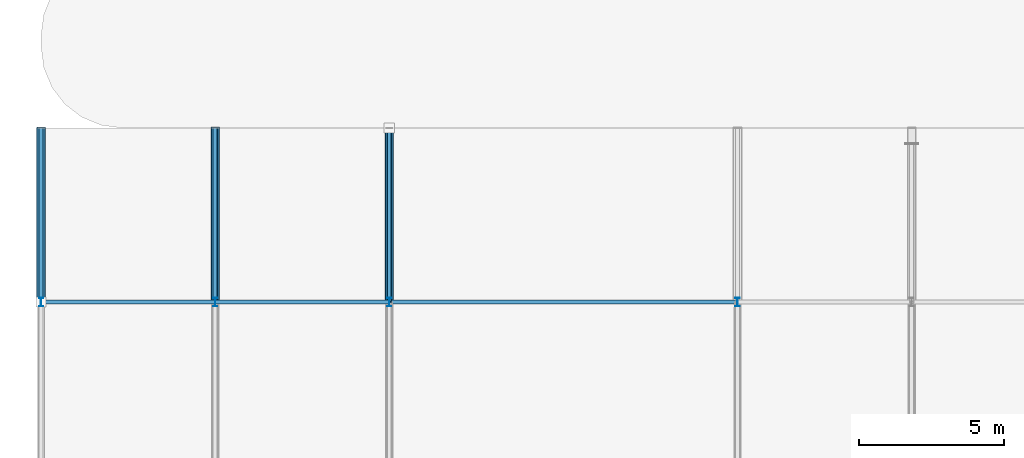
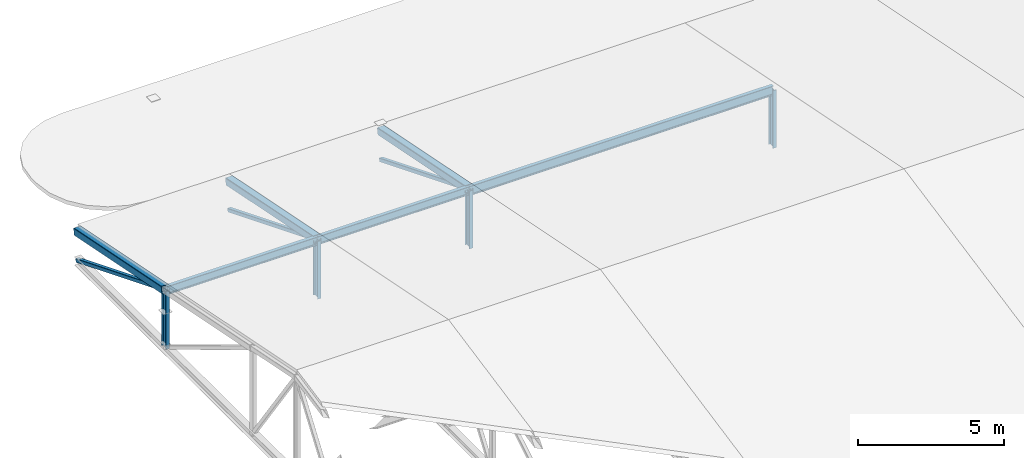
# One storey, part 39 of 83: 10 members, 3 beams.
"""IFC4 building model written with IfcOpenShell, lengths in metres."""

from ifc_helpers import new_model, si_unit, direction, frame, origin, origin_2d, place, context, subcontext, project, spatial, hollow_rectangle, i_section, extrude, material, material_profile, profile_set, type_object, element, save


model = new_model("IFC4")

# Units and contexts
model_context = context("Model", 3, precision=1e-05, world=origin(), true_north=direction((0.0, 1.0)))
body_context = subcontext(model_context, "Body", "Model", "MODEL_VIEW")
ifc_project = project(units=[si_unit("LENGTHUNIT", "METRE"), si_unit("AREAUNIT", "SQUARE_METRE"), si_unit("VOLUMEUNIT", "CUBIC_METRE"), si_unit("PLANEANGLEUNIT", "RADIAN"), si_unit("MASSUNIT", "GRAM", prefix="KILO")], contexts=[model_context])

# Site, building, storey
site_placement = place(None, origin())
site = spatial("IfcSite", under=ifc_project, at=site_placement, CompositionType="ELEMENT")
building_placement = place(site_placement, origin())
building = spatial("IfcBuilding", under=site, at=building_placement, Name="Varnakota Square Police Headquarters", CompositionType="ELEMENT")
storey_placement = place(building_placement, frame((0.0, 0.0, 18.0)))
storey = spatial("IfcBuildingStorey", under=building, at=storey_placement, Name="L04", CompositionType="ELEMENT", Elevation=18.0)

# Beams
ifc_material = material(Name="Steel IS 2062 Grade 350", Category="steel")
ifc_material_profile_1 = material_profile(ifc_material, hollow_rectangle(XDim=0.300048828125, YDim=0.300048828125, WallThickness=0.01611328125, InnerFilletRadius=0.01611328125, OuterFilletRadius=0.031982421875, at=origin_2d()), Name="SHS 300x300x16")
ifc_profile_set_1 = profile_set([ifc_material_profile_1], Name="Steel IS 2062 Grade 350")
beam_type = type_object("IfcBeamType", Name="BM-TR-SHS300", PredefinedType="BEAM", material=ifc_profile_set_1)
for number, where, z_axis, x_axis, name in (
    (1, (6.0, 99.0, 0.919921875), (0.0, 0.980582210276, -0.196108462057), (-1.0, 0.0, 0.0), "ROOF TRUSS top chord T1-P6"),
    (2, (12.0, 99.0, 0.919921875), (0.0, 0.980582210276, -0.196108462057), (-1.0, 0.0, 0.0), "ROOF TRUSS top chord T2-P6"),
    (3, (18.0, 99.0, 0.919921875), (0.0, 0.980582210276, -0.196108462057), (-1.0, 0.0, 0.0), "ROOF TRUSS top chord T3-P6"),
):
    element("IfcBeam", number, at=place(storey_placement, frame(where, z_axis=z_axis, x_axis=x_axis)), inside=storey, type_object=beam_type, Name=name, PredefinedType="BEAM", context=body_context, shape_type="SweptSolid", body=[
        extrude(hollow_rectangle(XDim=0.300048828125, YDim=0.300048828125, WallThickness=0.01611328125, InnerFilletRadius=0.01611328125, OuterFilletRadius=0.031982421875, at=origin_2d()), origin(), (0.0, 0.0, 1.0), 6.118896484375),
    ])

# Members
ifc_material_profile_2 = material_profile(ifc_material, hollow_rectangle(XDim=0.14990234375, YDim=0.14990234375, WallThickness=0.008056640625, InnerFilletRadius=0.008056640625, OuterFilletRadius=0.01611328125, at=origin_2d()), Name="SHS 150x150x8")
ifc_profile_set_2 = profile_set([ifc_material_profile_2], Name="Steel IS 2062 Grade 350")
member_type_1 = type_object("IfcMemberType", Name="MEM-BR-SHS150", PredefinedType="BRACE", material=ifc_profile_set_2)
for number, where, z_axis, x_axis, name in (
    (4, (6.0, 99.0, 0.919921875), (0.0, 0.927411070394, -0.374043722727), (-1.0, 0.0, 0.0), "ROOF TRUSS diagonal web T1-P6"),
    (5, (12.0, 99.0, 0.919921875), (0.0, 0.927411070394, -0.374043722727), (-1.0, 0.0, 0.0), "ROOF TRUSS diagonal web T2-P6"),
    (6, (18.0, 99.0, 0.919921875), (0.0, 0.927411070394, -0.374043722727), (-1.0, 0.0, 0.0), "ROOF TRUSS diagonal web T3-P6"),
):
    element("IfcMember", number, at=place(storey_placement, frame(where, z_axis=z_axis, x_axis=x_axis)), inside=storey, type_object=member_type_1, Name=name, PredefinedType="BRACE", context=body_context, shape_type="SweptSolid", body=[
        extrude(hollow_rectangle(XDim=0.14990234375, YDim=0.14990234375, WallThickness=0.008056640625, InnerFilletRadius=0.008056640625, OuterFilletRadius=0.01611328125, at=origin_2d()), origin(), (0.0, 0.0, 1.0), 6.4697265625),
    ])
ifc_material_profile_3 = material_profile(ifc_material, i_section(OverallWidth=0.139892578125, OverallDepth=0.35009765625, WebThickness=0.008056640625, FlangeThickness=0.01416015625, FilletRadius=0.013916015625, at=origin_2d()), Name="ISMB 350")
ifc_profile_set_3 = profile_set([ifc_material_profile_3], Name="Steel IS 2062 Grade 350")
member_type_2 = type_object("IfcMemberType", Name="MEM-PUR-ISMB350", PredefinedType="PURLIN", material=ifc_profile_set_3)
for number, where, z_axis, x_axis, name in (
    (7, (6.0, 99.0, 0.875), (1.0, 0.0, 0.0), (0.0, 1.0, 0.0), "Tactical hall purlin B1-Y99"),
    (8, (12.0, 99.0, 0.875), (1.0, 0.0, 0.0), (0.0, 1.0, 0.0), "Tactical hall purlin B2-Y99"),
):
    element("IfcMember", number, at=place(storey_placement, frame(where, z_axis=z_axis, x_axis=x_axis)), inside=storey, type_object=member_type_2, Name=name, PredefinedType="PURLIN", context=body_context, shape_type="SweptSolid", body=[
        extrude(i_section(OverallWidth=0.139892578125, OverallDepth=0.35009765625, WebThickness=0.008056640625, FlangeThickness=0.01416015625, FilletRadius=0.013916015625, at=origin_2d()), origin(), (0.0, 0.0, 1.0), 6.0),
    ])
ifc_material_profile_4 = material_profile(ifc_material, i_section(OverallWidth=0.139892578125, OverallDepth=0.39990234375, WebThickness=0.0087890625, FlangeThickness=0.01611328125, FilletRadius=0.013916015625, at=origin_2d()), Name="ISMB 400")
ifc_profile_set_4 = profile_set([ifc_material_profile_4], Name="Steel IS 2062 Grade 350")
member_type_3 = type_object("IfcMemberType", Name="MEM-PUR-ISMB400", PredefinedType="PURLIN", material=ifc_profile_set_4)
member_placement = place(storey_placement, frame((18.0, 99.0, 0.85009765625), z_axis=(1.0, 0.0, 0.0), x_axis=(0.0, 1.0, 0.0)))
element("IfcMember", 9, at=member_placement, inside=storey, type_object=member_type_3, Name="Tactical hall purlin B3-Y99", PredefinedType="PURLIN", context=body_context, shape_type="SweptSolid", body=[
    extrude(i_section(OverallWidth=0.139892578125, OverallDepth=0.39990234375, WebThickness=0.0087890625, FlangeThickness=0.01611328125, FilletRadius=0.013916015625, at=origin_2d()), origin(), (0.0, 0.0, 1.0), 12.0),
])
ifc_material_profile_5 = material_profile(ifc_material, i_section(OverallWidth=0.139892578125, OverallDepth=0.300048828125, WebThickness=0.0078125, FlangeThickness=0.01318359375, FilletRadius=0.013916015625, at=origin_2d()), Name="ISMB 300")
ifc_profile_set_5 = profile_set([ifc_material_profile_5], Name="Steel IS 2062 Grade 350")
member_type_4 = type_object("IfcMemberType", Name="MEM-STR-ISMB300", PredefinedType="STRUT", material=ifc_profile_set_5)
for number, where, z_axis, x_axis, name in (
    (10, (6.0, 99.0, -1.5), (0.0, 0.0, 1.0), (1.0, 0.0, 0.0), "ROOF TRUSS vertical strut T1-V5"),
    (11, (12.0, 99.0, -1.5), (0.0, 0.0, 1.0), (1.0, 0.0, 0.0), "ROOF TRUSS vertical strut T2-V5"),
    (12, (18.0, 99.0, -1.5), (0.0, 0.0, 1.0), (1.0, 0.0, 0.0), "ROOF TRUSS vertical strut T3-V5"),
    (13, (30.0, 99.0, -1.5), (0.0, 0.0, 1.0), (1.0, 0.0, 0.0), "ROOF TRUSS vertical strut T4-V5"),
):
    element("IfcMember", number, at=place(storey_placement, frame(where, z_axis=z_axis, x_axis=x_axis)), inside=storey, type_object=member_type_4, Name=name, PredefinedType="STRUT", context=body_context, shape_type="SweptSolid", body=[
        extrude(i_section(OverallWidth=0.139892578125, OverallDepth=0.300048828125, WebThickness=0.0078125, FlangeThickness=0.01318359375, FilletRadius=0.013916015625, at=origin_2d()), origin(), (0.0, 0.0, 1.0), 2.419921875),
    ])

save(model, "model.ifc")
